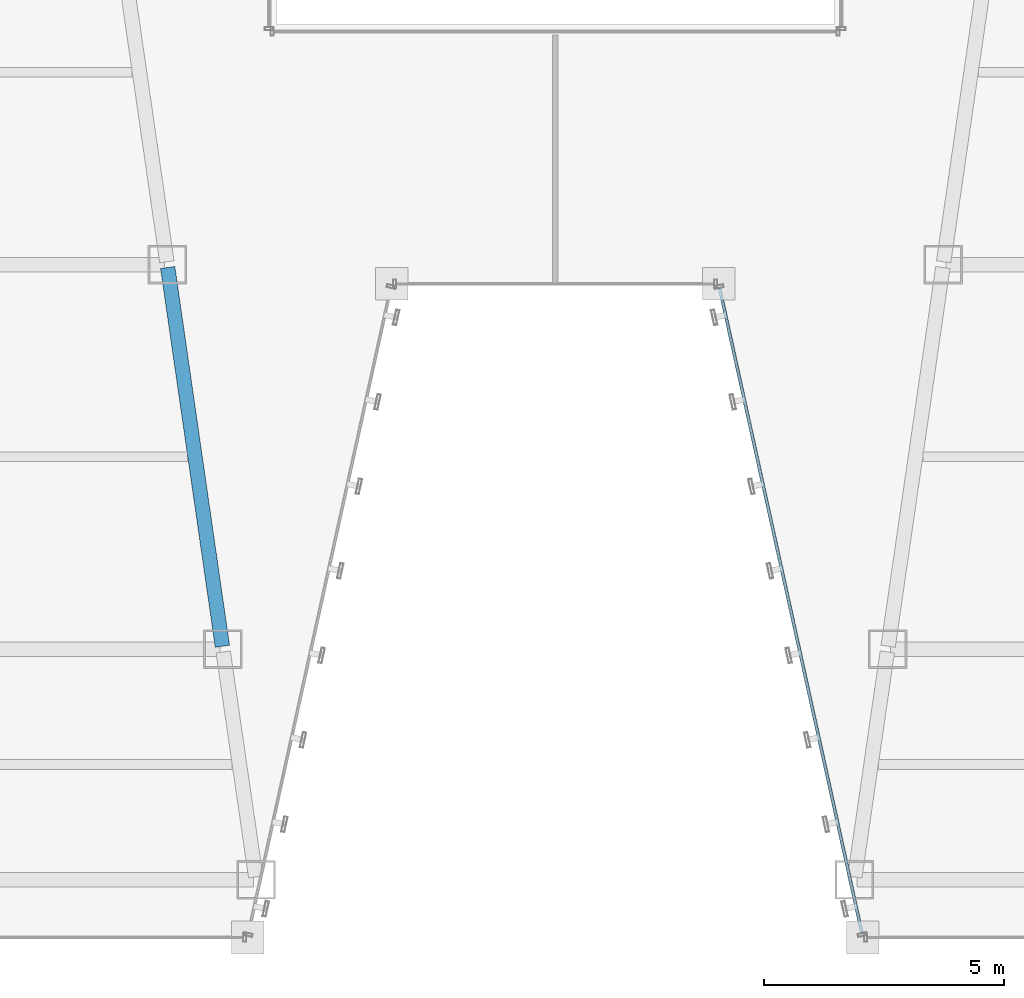
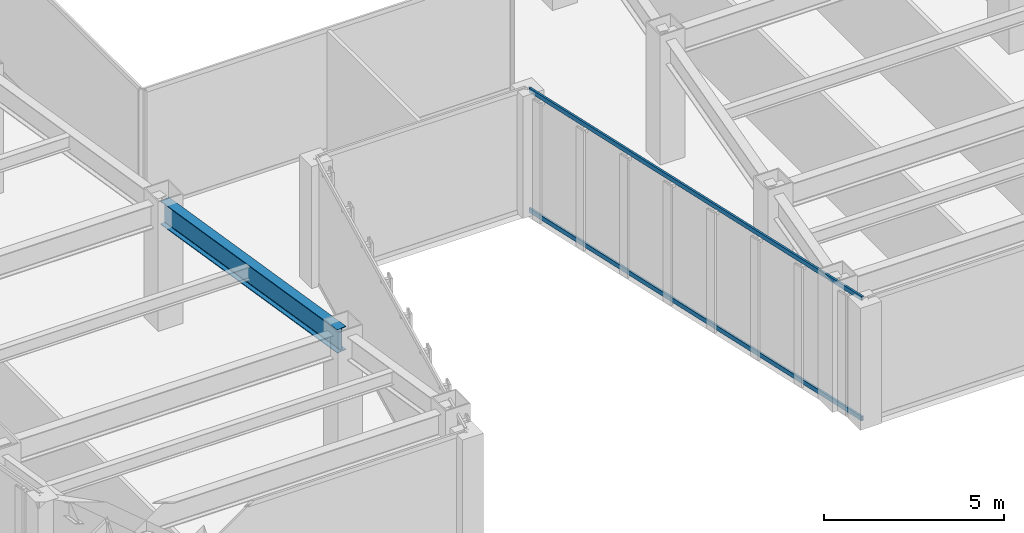
# One storey, part 8 of 47: 2 members, 1 beam, 1 element without a shape of its own.
"""IFC4 building model written with IfcOpenShell, lengths in metres."""

from ifc_helpers import new_model, si_unit, direction, frame, origin, origin_2d, place, context, subcontext, project, spatial, hollow_rectangle, i_section, extrude, material, material_profile, profile_set, type_object, element, aggregate, save


model = new_model("IFC4")

# Units and contexts
model_context = context("Model", 3, precision=1e-05, world=origin(), true_north=direction((0.0, 1.0)))
body_context = subcontext(model_context, "Body", "Model", "MODEL_VIEW")
ifc_project = project(units=[si_unit("LENGTHUNIT", "METRE"), si_unit("AREAUNIT", "SQUARE_METRE"), si_unit("VOLUMEUNIT", "CUBIC_METRE"), si_unit("PLANEANGLEUNIT", "RADIAN"), si_unit("MASSUNIT", "GRAM", prefix="KILO")], contexts=[model_context])

# Site, building, storey
site_placement = place(None, origin())
site = spatial("IfcSite", under=ifc_project, at=site_placement, CompositionType="ELEMENT")
building_placement = place(site_placement, origin())
building = spatial("IfcBuilding", under=site, at=building_placement, Name="Saevonmaru Cultural Tower", CompositionType="ELEMENT")
storey_placement = place(building_placement, frame((0.0, 0.0, 56.0)))
storey = spatial("IfcBuildingStorey", under=building, at=storey_placement, Name="L11", CompositionType="ELEMENT", Elevation=56.0)

# Beam
ifc_material_1 = material(Name="Steel SM420", Category="steel")
ifc_material_profile_1 = material_profile(ifc_material_1, i_section(OverallWidth=0.300048828125, OverallDepth=0.800048828125, WebThickness=0.013916015625, FlangeThickness=0.02587890625, FilletRadius=0.028076171875, at=origin_2d()), Name="H-800x300x14x26")
ifc_profile_set_1 = profile_set([ifc_material_profile_1], Name="Steel SM420")
beam_type = type_object("IfcBeamType", Name="BM-G-H800", PredefinedType="BEAM", material=ifc_profile_set_1)
beam_placement = place(storey_placement, frame((23.074462890625, 8.059326171875, 3.75), z_axis=(-0.142902032203, 0.989736838353, 0.0), x_axis=(-0.989736838353, -0.142902032203, 0.0)))
element("IfcBeam", 1, at=beam_placement, inside=storey, type_object=beam_type, Name="L11 West Atrium Girder 2", PredefinedType="BEAM", context=body_context, shape_type="SweptSolid", body=[
    extrude(i_section(OverallWidth=0.300048828125, OverallDepth=0.800048828125, WebThickness=0.013916015625, FlangeThickness=0.02587890625, FilletRadius=0.028076171875, at=origin_2d()), origin(), (0.0, 0.0, 1.0), 7.963134765625),
])

# Curtain wall, members
ifc_material_2 = material(Name="Satin Bronze Anodised Aluminium", Category="aluminium")
curtain_wall_type = type_object("IfcCurtainWallType", Name="CW-TYP-A", PredefinedType="NOTDEFINED", material=ifc_material_2)
curtain_wall_placement = place(storey_placement, origin())
curtain_wall = element("IfcCurtainWall", 2, at=curtain_wall_placement, inside=storey, type_object=curtain_wall_type, Name="L11 Unitised Curtain Wall E5", PredefinedType="NOTDEFINED")
ifc_material_profile_2 = material_profile(ifc_material_2, hollow_rectangle(XDim=0.06494140625, YDim=0.14990234375, WallThickness=0.00390625, at=origin_2d()), Name="ALU-TRAN-150x65x4")
ifc_profile_set_2 = profile_set([ifc_material_profile_2], Name="Satin Bronze Anodised Aluminium")
member_type = type_object("IfcMemberType", Name="TR-CW-150x65", PredefinedType="USERDEFINED", material=ifc_profile_set_2)
member_1_placement = place(storey_placement, frame((33.419921875, 15.509765625, 0.032470703125), z_axis=(0.21541214732, -0.976523223885, 0.0), x_axis=(0.976523223885, 0.21541214732, 0.0)))
member_1 = element("IfcMember", 3, at=member_1_placement, type_object=member_type, Name="CW-TW-L11-E5 transom 1.1", ObjectType="TRANSOM", PredefinedType="USERDEFINED", context=body_context, shape_type="SweptSolid", body=[
    extrude(hollow_rectangle(XDim=0.06494140625, YDim=0.14990234375, WallThickness=0.00390625, at=origin_2d()), origin(), (0.0, 0.0, 1.0), 13.741943359375),
])
member_2_placement = place(storey_placement, frame((33.419921875, 15.509765625, 4.117431640625), z_axis=(0.21541214732, -0.976523223885, 0.0), x_axis=(0.976523223885, 0.21541214732, 0.0)))
member_2 = element("IfcMember", 4, at=member_2_placement, type_object=member_type, Name="CW-TW-L11-E5 transom 1.2", ObjectType="TRANSOM", PredefinedType="USERDEFINED", context=body_context, shape_type="SweptSolid", body=[
    extrude(hollow_rectangle(XDim=0.06494140625, YDim=0.14990234375, WallThickness=0.00390625, at=origin_2d()), origin(), (0.0, 0.0, 1.0), 13.741943359375),
])
aggregate(curtain_wall, [member_1, member_2])

save(model, "model.ifc")
